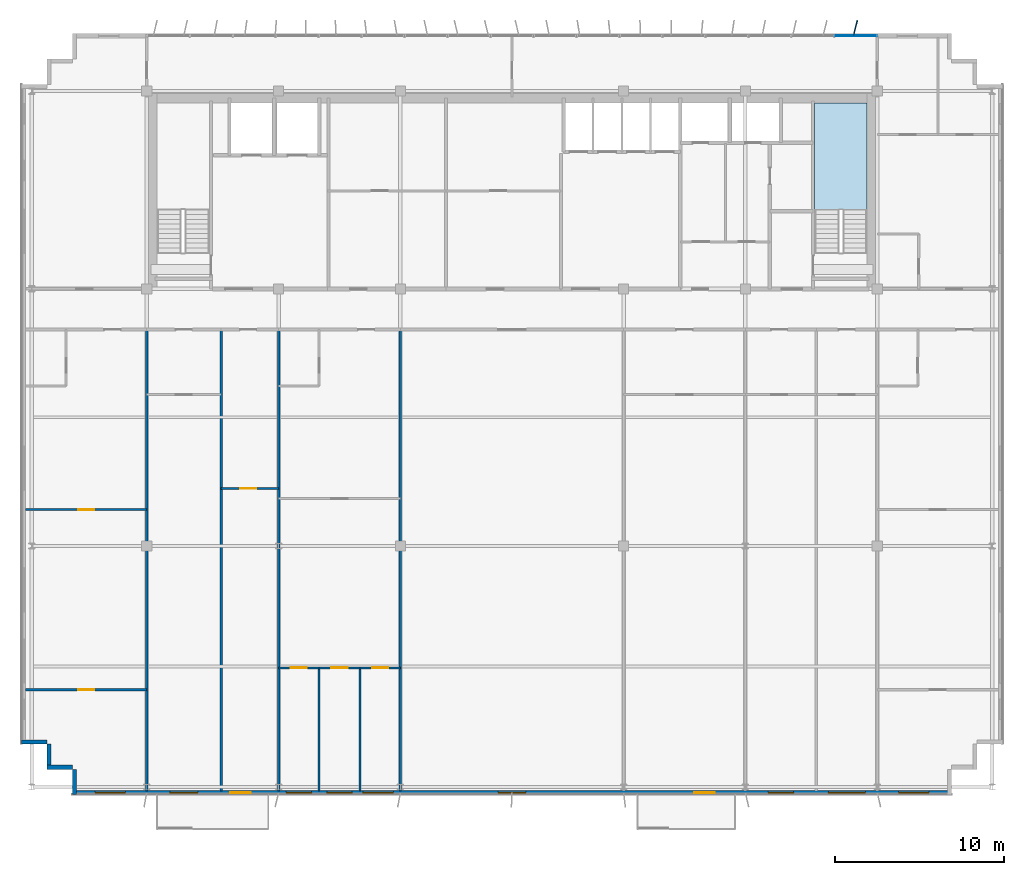
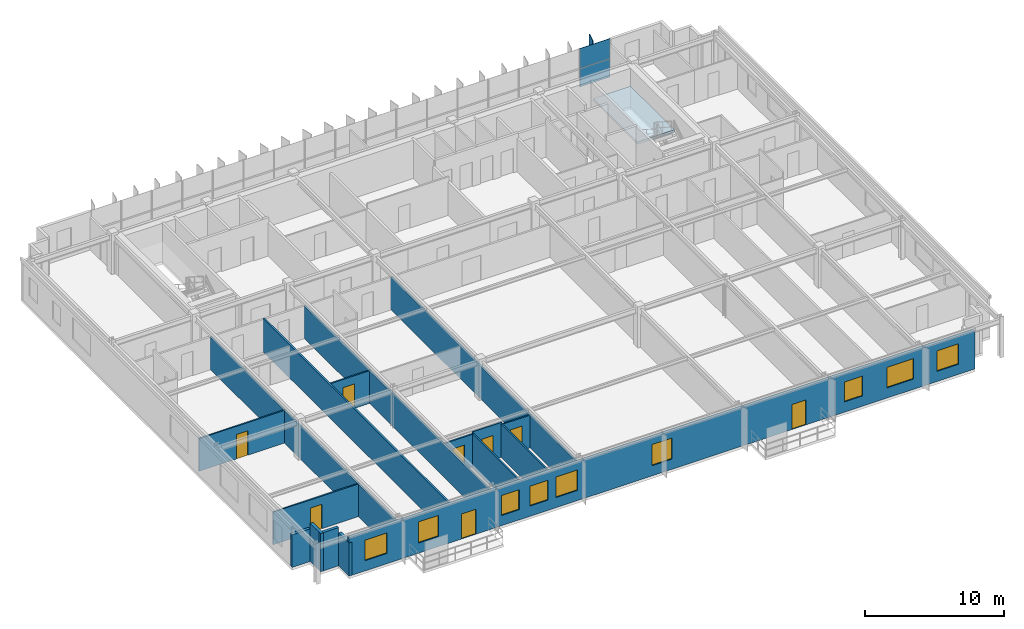
# One storey, part 16 of 22: 17 walls, 9 windows, 8 doors, 3 plates, 1 slab, 17 openings, 2 elements without a shape of their own.
"""IFC4 building model written with IfcOpenShell, lengths in metres."""

from ifc_helpers import new_model, si_unit, direction, frame, frame_2d, origin, origin_2d, place, context, subcontext, project, spatial, polyline, rectangle, outline, extrude, source, transform, mapped, material, layer, layer_set, type_object, element, fill, aggregate, save


model = new_model("IFC4")

# Units and contexts
model_context = context("Model", 3, precision=1e-05, world=origin(), true_north=direction((0.0, 1.0)))
body_context = subcontext(model_context, "Body", "Model", "MODEL_VIEW")
ifc_project = project(units=[si_unit("LENGTHUNIT", "METRE"), si_unit("AREAUNIT", "SQUARE_METRE"), si_unit("VOLUMEUNIT", "CUBIC_METRE"), si_unit("PLANEANGLEUNIT", "RADIAN"), si_unit("MASSUNIT", "GRAM", prefix="KILO")], contexts=[model_context])

# Site, building, storey
site_placement = place(None, origin())
site = spatial("IfcSite", under=ifc_project, at=site_placement, CompositionType="ELEMENT")
building_placement = place(site_placement, origin())
building = spatial("IfcBuilding", under=site, at=building_placement, Name="Trelvane Seafront Commons", CompositionType="ELEMENT")
storey_placement = place(building_placement, frame((0.0, 0.0, 270.300048828125)))
storey = spatial("IfcBuildingStorey", under=building, at=storey_placement, Name="L70", CompositionType="ELEMENT", Elevation=270.300048828125)

# Stair, slab
ifc_material_1 = material(Name="Concrete C40/50", Category="concrete")
stair_type = type_object("IfcStairType", Name="ARCH-STR-ST-2-R20-180", PredefinedType="HALF_TURN_STAIR", material=ifc_material_1)
stair_placement = place(storey_placement, origin())
stair = element("IfcStair", 1, at=stair_placement, inside=storey, type_object=stair_type, Name="L70 East Protected Firefighting Exit Stair ST-2", PredefinedType="HALF_TURN_STAIR")
ifc_layer_1 = layer(ifc_material_1, 0.199951171875, Name="ARCH-LND-200")
ifc_layer_set_1 = layer_set([ifc_layer_1], Name="Concrete C40/50")
slab_type = type_object("IfcSlabType", Name="ARCH-LND-200", PredefinedType="LANDING", material=ifc_layer_set_1)
slab_placement = place(storey_placement, frame((0.0, 0.0, 1.599853515625)))
slab = element("IfcSlab", 2, at=slab_placement, type_object=slab_type, Name="ST-2 landing 1", PredefinedType="LANDING", context=body_context, shape_type="SweptSolid", body=[
    extrude(outline(polyline([(58.199951171875, 38.070068359375), (58.199951171875, 44.39990234375), (55.10009765625, 44.39990234375), (55.10009765625, 38.070068359375), (58.199951171875, 38.070068359375)])), origin(), (0.0, 0.0, 1.0), 0.2001953125),
])
aggregate(stair, [slab])

# Plate
ifc_material_2 = material(Name="Anodised pale-silver aluminium", Category="aluminium")
ifc_layer_2 = layer(ifc_material_2, 0.06005859375, Name="ARCH-PLATE-FIN900")
ifc_layer_set_2 = layer_set([ifc_layer_2], Name="Anodised pale-silver aluminium")
plate_type_1 = type_object("IfcPlateType", Name="ARCH-PLATE-FIN900", PredefinedType="USERDEFINED", material=ifc_layer_set_2)
shared_shape_1 = source(origin(), body_context, "Body", "SweptSolid", [
    extrude(rectangle(XDim=0.89990234375, YDim=0.06005859375, at=origin_2d()), origin(), (0.0, 0.0, 1.0), 3.639892578125),
])
plate_1_placement = place(storey_placement, frame((57.50732421875, 48.8369140625, -0.02001953125), z_axis=(0.0, 0.0, 1.0), x_axis=(0.238769048477, 0.971076382933, 0.0)))
element("IfcPlate", 3, at=plate_1_placement, inside=storey, type_object=plate_type_1, Name="FIN-L70-01965", ObjectType="FIN", PredefinedType="USERDEFINED", context=body_context, shape_type="MappedRepresentation", body=[
    mapped(shared_shape_1, transform((0.0, 0.0, 0.0), x_axis=(1.0, 0.0, 0.0), y_axis=(0.0, 1.0, 0.0), z_axis=(0.0, 0.0, 1.0), scale=1.0)),
])

# Curtain wall, plates
curtain_wall_type = type_object("IfcCurtainWallType", Name="ARCH-CW5-UPTOWER", PredefinedType="NOTDEFINED", material=ifc_material_2)
curtain_wall_placement = place(storey_placement, origin())
curtain_wall = element("IfcCurtainWall", 4, at=curtain_wall_placement, inside=storey, type_object=curtain_wall_type, Name="CW-L70-0114", PredefinedType="NOTDEFINED")
ifc_material_3 = material(Name="Low-E coastal double glazing", Category="glass")
ifc_layer_3 = layer(ifc_material_3, 0.033935546875, Name="ARCH-CW-GLAZ-34")
ifc_layer_set_3 = layer_set([ifc_layer_3], Name="Low-E coastal double glazing")
plate_type_2 = type_object("IfcPlateType", Name="ARCH-CW-GLAZ-34", PredefinedType="CURTAIN_PANEL", material=ifc_layer_set_3)
shared_shape_2 = source(origin(), body_context, "Body", "SweptSolid", [
    extrude(rectangle(XDim=2.51708984375, YDim=0.033935546875, at=origin_2d()), origin(), (0.0, 0.0, 1.0), 1.60009765625),
])
plate_2_placement = place(storey_placement, frame((57.529296875, 48.3701171875, 0.0), z_axis=(0.0, 0.0, 1.0), x_axis=(1.0, 0.0, 0.0)))
plate_2 = element("IfcPlate", 5, at=plate_2_placement, type_object=plate_type_2, Name="CW-L70-0114-P16-1", PredefinedType="CURTAIN_PANEL", context=body_context, shape_type="MappedRepresentation", body=[
    mapped(shared_shape_2, transform((0.0, 0.0, 0.0), x_axis=(1.0, 0.0, 0.0), y_axis=(0.0, 1.0, 0.0), z_axis=(0.0, 0.0, 1.0), scale=1.0)),
])
shared_shape_3 = source(origin(), body_context, "Body", "SweptSolid", [
    extrude(rectangle(XDim=2.51708984375, YDim=0.033935546875, at=origin_2d()), origin(), (0.0, 0.0, 1.0), 1.73388671875),
])
plate_3_placement = place(storey_placement, frame((57.529296875, 48.3701171875, 1.635986328125), z_axis=(0.0, 0.0, 1.0), x_axis=(1.0, 0.0, 0.0)))
plate_3 = element("IfcPlate", 6, at=plate_3_placement, type_object=plate_type_2, Name="CW-L70-0114-P16-2", PredefinedType="CURTAIN_PANEL", context=body_context, shape_type="MappedRepresentation", body=[
    mapped(shared_shape_3, transform((0.0, 0.0, 0.0), x_axis=(1.0, 0.0, 0.0), y_axis=(0.0, 1.0, 0.0), z_axis=(0.0, 0.0, 1.0), scale=1.0)),
])
aggregate(curtain_wall, [plate_2, plate_3])

# Walls
ifc_material_4 = material(Name="Precast concrete C40/50", Category="concrete")
ifc_layer_4 = layer(ifc_material_4, 0.239990234375, Name="ARCH-WALL-EXT240")
ifc_layer_set_4 = layer_set([ifc_layer_4], Name="Precast concrete C40/50")
wall_type_1 = type_object("IfcWallType", Name="ARCH-WALL-EXT240", PredefinedType="SOLIDWALL", material=ifc_layer_set_4)
for number, where, z_axis, x_axis, name in (
    (7, (11.199951171875, 5.1201171875, 0.0), (0.0, 0.0, 1.0), (-1.0, 0.0, 0.0), "EW-L70-01405"),
    (8, (9.820068359375, 5.0, 0.0), (0.0, 0.0, 1.0), (0.0, 1.0, 0.0), "EW-L70-01406"),
):
    element("IfcWall", number, at=place(storey_placement, frame(where, z_axis=z_axis, x_axis=x_axis)), inside=storey, type_object=wall_type_1, Name=name, PredefinedType="SOLIDWALL", context=body_context, shape_type="SweptSolid", body=[
        extrude(rectangle(XDim=1.5, YDim=0.239990234375, at=frame_2d((0.75, 0.0))), origin(), (0.0, 0.0, 1.0), 3.369873046875),
    ])
wall_1_placement = place(storey_placement, frame((9.699951171875, 6.6201171875, 0.0), z_axis=(0.0, 0.0, 1.0), x_axis=(-1.0, 0.0, 0.0)))
element("IfcWall", 9, at=wall_1_placement, inside=storey, type_object=wall_type_1, Name="EW-L70-01407", PredefinedType="SOLIDWALL", context=body_context, shape_type="SweptSolid", body=[
    extrude(rectangle(XDim=1.5, YDim=0.239990234375, at=frame_2d((0.75, 0.0))), origin(), (0.0, 0.0, 1.0), 2.869873046875),
])

# Wall, openings, doors, windows
wall_2_placement = place(storey_placement, frame((63.199951171875, 3.6201171875, 0.0), z_axis=(0.0, 0.0, 1.0), x_axis=(-1.0, 0.0, 0.0)))
wall_2 = element("IfcWall", 10, at=wall_2_placement, inside=storey, type_object=wall_type_1, Name="EW-L70-01422", PredefinedType="SOLIDWALL", context=body_context, shape_type="SweptSolid", body=[
    extrude(rectangle(XDim=52.0, YDim=0.239990234375, at=frame_2d((26.0, 0.0))), origin(), (0.0, 0.0, 1.0), 3.369873046875),
])
opening_1_placement = place(wall_2_placement, frame((1.344970703125, 0.0, 0.89990234375)))
opening_1 = element("IfcOpeningElement", 11, at=opening_1_placement, cuts=wall_2, Name="Opening W01", PredefinedType="OPENING", context=body_context, shape_type="SweptSolid", body=[
    extrude(rectangle(XDim=1.800048828125, YDim=1.800048828125, at=frame_2d((0.89990234375, 0.89990234375))), frame((0.0, 0.1298828125, 0.0), z_axis=(0.0, -1.0, 0.0), x_axis=(1.0, 0.0, 0.0)), (0.0, 0.0, 1.0), 0.260009765625),
])
opening_2_placement = place(wall_2_placement, frame((5.10009765625, 0.0, 0.89990234375)))
opening_2 = element("IfcOpeningElement", 12, at=opening_2_placement, cuts=wall_2, Name="Opening W02", PredefinedType="OPENING", context=body_context, shape_type="SweptSolid", body=[
    extrude(rectangle(XDim=2.199951171875, YDim=1.800048828125, at=frame_2d((1.10009765625, 0.89990234375))), frame((0.0, 0.1298828125, 0.0), z_axis=(0.0, -1.0, 0.0), x_axis=(1.0, 0.0, 0.0)), (0.0, 0.0, 1.0), 0.260009765625),
])
opening_3_placement = place(wall_2_placement, frame((9.35009765625, 0.0, 0.89990234375)))
opening_3 = element("IfcOpeningElement", 13, at=opening_3_placement, cuts=wall_2, Name="Opening W03", PredefinedType="OPENING", context=body_context, shape_type="SweptSolid", body=[
    extrude(rectangle(XDim=1.5, YDim=1.75, at=frame_2d((0.75, 0.875))), frame((0.0, 0.1298828125, 0.0), z_axis=(0.0, -1.0, 0.0), x_axis=(1.0, 0.0, 0.0)), (0.0, 0.0, 1.0), 0.260009765625),
])
opening_4_placement = place(wall_2_placement, frame((14.01708984375, 0.0, 0.0)))
opening_4 = element("IfcOpeningElement", 14, at=opening_4_placement, cuts=wall_2, Name="Opening BD-L70-142", PredefinedType="OPENING", context=body_context, shape_type="SweptSolid", body=[
    extrude(rectangle(XDim=1.199951171875, YDim=2.199951171875, at=frame_2d((0.60009765625, 1.10009765625))), frame((0.0, 0.1298828125, 0.0), z_axis=(0.0, -1.0, 0.0), x_axis=(1.0, 0.0, 0.0)), (0.0, 0.0, 1.0), 0.260009765625),
])
opening_5_placement = place(wall_2_placement, frame((25.175048828125, 0.0, 0.89990234375)))
opening_5 = element("IfcOpeningElement", 15, at=opening_5_placement, cuts=wall_2, Name="Opening W07", PredefinedType="OPENING", context=body_context, shape_type="SweptSolid", body=[
    extrude(rectangle(XDim=1.64990234375, YDim=1.85009765625, at=frame_2d((0.824951171875, 0.925048828125))), frame((0.0, 0.1298828125, 0.0), z_axis=(0.0, -1.0, 0.0), x_axis=(1.0, 0.0, 0.0)), (0.0, 0.0, 1.0), 0.260009765625),
])
opening_6_placement = place(wall_2_placement, frame((33.010009765625, 0.0, 0.89990234375)))
opening_6 = element("IfcOpeningElement", 16, at=opening_6_placement, cuts=wall_2, Name="Opening W01", PredefinedType="OPENING", context=body_context, shape_type="SweptSolid", body=[
    extrude(rectangle(XDim=1.800048828125, YDim=1.800048828125, at=frame_2d((0.89990234375, 0.89990234375))), frame((0.0, 0.1298828125, 0.0), z_axis=(0.0, -1.0, 0.0), x_axis=(1.0, 0.0, 0.0)), (0.0, 0.0, 1.0), 0.260009765625),
])
opening_7_placement = place(wall_2_placement, frame((35.449951171875, 0.0, 0.89990234375)))
opening_7 = element("IfcOpeningElement", 17, at=opening_7_placement, cuts=wall_2, Name="Opening W03", PredefinedType="OPENING", context=body_context, shape_type="SweptSolid", body=[
    extrude(rectangle(XDim=1.5, YDim=1.75, at=frame_2d((0.75, 0.875))), frame((0.0, 0.1298828125, 0.0), z_axis=(0.0, -1.0, 0.0), x_axis=(1.0, 0.0, 0.0)), (0.0, 0.0, 1.0), 0.260009765625),
])
opening_8_placement = place(wall_2_placement, frame((37.85009765625, 0.0, 0.89990234375)))
opening_8 = element("IfcOpeningElement", 18, at=opening_8_placement, cuts=wall_2, Name="Opening W03", PredefinedType="OPENING", context=body_context, shape_type="SweptSolid", body=[
    extrude(rectangle(XDim=1.5, YDim=1.75, at=frame_2d((0.75, 0.875))), frame((0.0, 0.1298828125, 0.0), z_axis=(0.0, -1.0, 0.0), x_axis=(1.0, 0.0, 0.0)), (0.0, 0.0, 1.0), 0.260009765625),
])
opening_9_placement = place(wall_2_placement, frame((41.451904296875, 0.0, 0.0)))
opening_9 = element("IfcOpeningElement", 19, at=opening_9_placement, cuts=wall_2, Name="Opening BD-L70-143", PredefinedType="OPENING", context=body_context, shape_type="SweptSolid", body=[
    extrude(rectangle(XDim=1.199951171875, YDim=2.199951171875, at=frame_2d((0.60009765625, 1.10009765625))), frame((0.0, 0.1298828125, 0.0), z_axis=(0.0, -1.0, 0.0), x_axis=(1.0, 0.0, 0.0)), (0.0, 0.0, 1.0), 0.260009765625),
])
opening_10_placement = place(wall_2_placement, frame((44.574951171875, 0.0, 0.89990234375)))
opening_10 = element("IfcOpeningElement", 20, at=opening_10_placement, cuts=wall_2, Name="Opening W07", PredefinedType="OPENING", context=body_context, shape_type="SweptSolid", body=[
    extrude(rectangle(XDim=1.64990234375, YDim=1.85009765625, at=frame_2d((0.824951171875, 0.925048828125))), frame((0.0, 0.1298828125, 0.0), z_axis=(0.0, -1.0, 0.0), x_axis=(1.0, 0.0, 0.0)), (0.0, 0.0, 1.0), 0.260009765625),
])
opening_11_placement = place(wall_2_placement, frame((48.85498046875, 0.0, 0.89990234375)))
opening_11 = element("IfcOpeningElement", 21, at=opening_11_placement, cuts=wall_2, Name="Opening W01", PredefinedType="OPENING", context=body_context, shape_type="SweptSolid", body=[
    extrude(rectangle(XDim=1.800048828125, YDim=1.800048828125, at=frame_2d((0.89990234375, 0.89990234375))), frame((0.0, 0.1298828125, 0.0), z_axis=(0.0, -1.0, 0.0), x_axis=(1.0, 0.0, 0.0)), (0.0, 0.0, 1.0), 0.260009765625),
])
ifc_material_5 = material(Name="Powder-coated aluminium frame", Category="aluminium")
door_type_1 = type_object("IfcDoorType", Name="ARCH-DR-BAL1200", OperationType="NOTDEFINED", PredefinedType="DOOR", material=ifc_material_5)
shared_shape_4 = source(origin(), body_context, "Body", "SweptSolid", [
    extrude(rectangle(XDim=1.199951171875, YDim=2.199951171875, at=frame_2d((0.60009765625, 1.10009765625))), frame((0.0, 0.02490234375, 0.0), z_axis=(0.0, -1.0, 0.0), x_axis=(1.0, 0.0, 0.0)), (0.0, 0.0, 1.0), 0.050048828125),
])
door_1_placement = place(opening_4_placement, origin())
door_1 = element("IfcDoor", 22, at=door_1_placement, inside=storey, type_object=door_type_1, Name="L70 Balcony Terrace Access Door", OperationType="SINGLE_SWING_LEFT", OverallHeight=2.199951171875, OverallWidth=1.199951171875, PredefinedType="DOOR", context=body_context, shape_type="MappedRepresentation", body=[
    mapped(shared_shape_4, transform((0.0, 0.0, 0.0), x_axis=(1.0, 0.0, 0.0), y_axis=(0.0, 1.0, 0.0), z_axis=(0.0, 0.0, 1.0), scale=1.0)),
])
fill(opening_4, door_1)
door_2_placement = place(opening_9_placement, origin())
door_2 = element("IfcDoor", 23, at=door_2_placement, inside=storey, type_object=door_type_1, Name="L70 Balcony Terrace Access Door", OperationType="SINGLE_SWING_LEFT", OverallHeight=2.199951171875, OverallWidth=1.199951171875, PredefinedType="DOOR", context=body_context, shape_type="MappedRepresentation", body=[
    mapped(shared_shape_4, transform((0.0, 0.0, 0.0), x_axis=(1.0, 0.0, 0.0), y_axis=(0.0, 1.0, 0.0), z_axis=(0.0, 0.0, 1.0), scale=1.0)),
])
fill(opening_9, door_2)
window_type_1 = type_object("IfcWindowType", Name="ARCH-WIN-W02", PartitioningType="SINGLE_PANEL", PredefinedType="WINDOW", material=ifc_material_3)
shared_shape_5 = source(origin(), body_context, "Body", "SweptSolid", [
    extrude(rectangle(XDim=2.199951171875, YDim=1.800048828125, at=frame_2d((1.10009765625, 0.89990234375))), frame((0.0, 0.030029296875, 0.0), z_axis=(0.0, -1.0, 0.0), x_axis=(1.0, 0.0, 0.0)), (0.0, 0.0, 1.0), 0.06005859375),
])
window_1_placement = place(opening_2_placement, origin())
window_1 = element("IfcWindow", 24, at=window_1_placement, inside=storey, type_object=window_type_1, Name="WIN-L70-01689", OverallHeight=1.800048828125, OverallWidth=2.199951171875, PartitioningType="SINGLE_PANEL", PredefinedType="WINDOW", context=body_context, shape_type="MappedRepresentation", body=[
    mapped(shared_shape_5, transform((0.0, 0.0, 0.0), x_axis=(1.0, 0.0, 0.0), y_axis=(0.0, 1.0, 0.0), z_axis=(0.0, 0.0, 1.0), scale=1.0)),
])
fill(opening_2, window_1)
window_type_2 = type_object("IfcWindowType", Name="ARCH-WIN-W03", PartitioningType="SINGLE_PANEL", PredefinedType="WINDOW", material=ifc_material_3)
shared_shape_6 = source(origin(), body_context, "Body", "SweptSolid", [
    extrude(rectangle(XDim=1.5, YDim=1.75, at=frame_2d((0.75, 0.875))), frame((0.0, 0.030029296875, 0.0), z_axis=(0.0, -1.0, 0.0), x_axis=(1.0, 0.0, 0.0)), (0.0, 0.0, 1.0), 0.06005859375),
])
window_2_placement = place(opening_3_placement, origin())
window_2 = element("IfcWindow", 25, at=window_2_placement, inside=storey, type_object=window_type_2, Name="WIN-L70-01690", OverallHeight=1.75, OverallWidth=1.5, PartitioningType="SINGLE_PANEL", PredefinedType="WINDOW", context=body_context, shape_type="MappedRepresentation", body=[
    mapped(shared_shape_6, transform((0.0, 0.0, 0.0), x_axis=(1.0, 0.0, 0.0), y_axis=(0.0, 1.0, 0.0), z_axis=(0.0, 0.0, 1.0), scale=1.0)),
])
fill(opening_3, window_2)
window_3_placement = place(opening_7_placement, origin())
window_3 = element("IfcWindow", 26, at=window_3_placement, inside=storey, type_object=window_type_2, Name="WIN-L70-01693", OverallHeight=1.75, OverallWidth=1.5, PartitioningType="SINGLE_PANEL", PredefinedType="WINDOW", context=body_context, shape_type="MappedRepresentation", body=[
    mapped(shared_shape_6, transform((0.0, 0.0, 0.0), x_axis=(1.0, 0.0, 0.0), y_axis=(0.0, 1.0, 0.0), z_axis=(0.0, 0.0, 1.0), scale=1.0)),
])
fill(opening_7, window_3)
window_4_placement = place(opening_8_placement, origin())
window_4 = element("IfcWindow", 27, at=window_4_placement, inside=storey, type_object=window_type_2, Name="WIN-L70-01694", OverallHeight=1.75, OverallWidth=1.5, PartitioningType="SINGLE_PANEL", PredefinedType="WINDOW", context=body_context, shape_type="MappedRepresentation", body=[
    mapped(shared_shape_6, transform((0.0, 0.0, 0.0), x_axis=(1.0, 0.0, 0.0), y_axis=(0.0, 1.0, 0.0), z_axis=(0.0, 0.0, 1.0), scale=1.0)),
])
fill(opening_8, window_4)
window_type_3 = type_object("IfcWindowType", Name="ARCH-WIN-W01", PartitioningType="SINGLE_PANEL", PredefinedType="WINDOW", material=ifc_material_3)
shared_shape_7 = source(origin(), body_context, "Body", "SweptSolid", [
    extrude(rectangle(XDim=1.800048828125, YDim=1.800048828125, at=frame_2d((0.89990234375, 0.89990234375))), frame((0.0, 0.030029296875, 0.0), z_axis=(0.0, -1.0, 0.0), x_axis=(1.0, 0.0, 0.0)), (0.0, 0.0, 1.0), 0.06005859375),
])
window_5_placement = place(opening_1_placement, origin())
window_5 = element("IfcWindow", 28, at=window_5_placement, inside=storey, type_object=window_type_3, Name="WIN-L70-01688", OverallHeight=1.800048828125, OverallWidth=1.800048828125, PartitioningType="SINGLE_PANEL", PredefinedType="WINDOW", context=body_context, shape_type="MappedRepresentation", body=[
    mapped(shared_shape_7, transform((0.0, 0.0, 0.0), x_axis=(1.0, 0.0, 0.0), y_axis=(0.0, 1.0, 0.0), z_axis=(0.0, 0.0, 1.0), scale=1.0)),
])
fill(opening_1, window_5)
window_6_placement = place(opening_6_placement, origin())
window_6 = element("IfcWindow", 29, at=window_6_placement, inside=storey, type_object=window_type_3, Name="WIN-L70-01692", OverallHeight=1.800048828125, OverallWidth=1.800048828125, PartitioningType="SINGLE_PANEL", PredefinedType="WINDOW", context=body_context, shape_type="MappedRepresentation", body=[
    mapped(shared_shape_7, transform((0.0, 0.0, 0.0), x_axis=(1.0, 0.0, 0.0), y_axis=(0.0, 1.0, 0.0), z_axis=(0.0, 0.0, 1.0), scale=1.0)),
])
fill(opening_6, window_6)
window_7_placement = place(opening_11_placement, origin())
window_7 = element("IfcWindow", 30, at=window_7_placement, inside=storey, type_object=window_type_3, Name="WIN-L70-01696", OverallHeight=1.800048828125, OverallWidth=1.800048828125, PartitioningType="SINGLE_PANEL", PredefinedType="WINDOW", context=body_context, shape_type="MappedRepresentation", body=[
    mapped(shared_shape_7, transform((0.0, 0.0, 0.0), x_axis=(1.0, 0.0, 0.0), y_axis=(0.0, 1.0, 0.0), z_axis=(0.0, 0.0, 1.0), scale=1.0)),
])
fill(opening_11, window_7)
window_type_4 = type_object("IfcWindowType", Name="ARCH-WIN-W07", PartitioningType="SINGLE_PANEL", PredefinedType="WINDOW", material=ifc_material_3)
shared_shape_8 = source(origin(), body_context, "Body", "SweptSolid", [
    extrude(rectangle(XDim=1.64990234375, YDim=1.85009765625, at=frame_2d((0.824951171875, 0.925048828125))), frame((0.0, 0.030029296875, 0.0), z_axis=(0.0, -1.0, 0.0), x_axis=(1.0, 0.0, 0.0)), (0.0, 0.0, 1.0), 0.06005859375),
])
window_8_placement = place(opening_5_placement, origin())
window_8 = element("IfcWindow", 31, at=window_8_placement, inside=storey, type_object=window_type_4, Name="WIN-L70-01691", OverallHeight=1.85009765625, OverallWidth=1.64990234375, PartitioningType="SINGLE_PANEL", PredefinedType="WINDOW", context=body_context, shape_type="MappedRepresentation", body=[
    mapped(shared_shape_8, transform((0.0, 0.0, 0.0), x_axis=(1.0, 0.0, 0.0), y_axis=(0.0, 1.0, 0.0), z_axis=(0.0, 0.0, 1.0), scale=1.0)),
])
fill(opening_5, window_8)
window_9_placement = place(opening_10_placement, origin())
window_9 = element("IfcWindow", 32, at=window_9_placement, inside=storey, type_object=window_type_4, Name="WIN-L70-01695", OverallHeight=1.85009765625, OverallWidth=1.64990234375, PartitioningType="SINGLE_PANEL", PredefinedType="WINDOW", context=body_context, shape_type="MappedRepresentation", body=[
    mapped(shared_shape_8, transform((0.0, 0.0, 0.0), x_axis=(1.0, 0.0, 0.0), y_axis=(0.0, 1.0, 0.0), z_axis=(0.0, 0.0, 1.0), scale=1.0)),
])
fill(opening_10, window_9)

# Wall
wall_3_placement = place(storey_placement, frame((11.320068359375, 3.5, 0.0), z_axis=(0.0, 0.0, 1.0), x_axis=(0.0, 1.0, 0.0)))
element("IfcWall", 33, at=wall_3_placement, inside=storey, type_object=wall_type_1, Name="EW-L70-01423", PredefinedType="SOLIDWALL", context=body_context, shape_type="SweptSolid", body=[
    extrude(rectangle(XDim=1.5, YDim=0.239990234375, at=frame_2d((0.75, 0.0))), origin(), (0.0, 0.0, 1.0), 2.919921875),
])

# Wall, opening, door
ifc_material_6 = material(Name="Gypsum Drywall Acoustic Partition")
ifc_layer_5 = layer(ifc_material_6, 0.1201171875, Name="ARCH-WALL-PART120")
ifc_layer_set_5 = layer_set([ifc_layer_5], Name="Gypsum Drywall Acoustic Partition")
wall_type_2 = type_object("IfcWallType", Name="ARCH-WALL-PART120", PredefinedType="PARTITIONING", material=ifc_layer_set_5)
wall_4_placement = place(storey_placement, frame((8.43994140625, 20.35009765625, 0.0), z_axis=(0.0, 0.0, 1.0), x_axis=(1.0, 0.0, 0.0)))
wall_4 = element("IfcWall", 34, at=wall_4_placement, inside=storey, type_object=wall_type_2, Name="W-L70-U1-KL-053", PredefinedType="PARTITIONING", context=body_context, shape_type="SweptSolid", body=[
    extrude(rectangle(XDim=7.16015625, YDim=0.1201171875, at=frame_2d((3.580078125, 0.0))), origin(), (0.0, 0.0, 1.0), 2.869873046875),
])
opening_12_placement = place(wall_4_placement, frame((3.10498046875, 0.0, 0.0)))
opening_12 = element("IfcOpeningElement", 35, at=opening_12_placement, cuts=wall_4, Name="Opening D-L70-30", PredefinedType="OPENING", context=body_context, shape_type="SweptSolid", body=[
    extrude(rectangle(XDim=0.949951171875, YDim=2.14990234375, at=frame_2d((0.47509765625, 1.074951171875))), frame((0.0, 0.070068359375, 0.0), z_axis=(0.0, -1.0, 0.0), x_axis=(1.0, 0.0, 0.0)), (0.0, 0.0, 1.0), 0.14013671875),
])
ifc_material_7 = material(Name="Acoustic timber door leaf", Category="wood")
door_type_2 = type_object("IfcDoorType", Name="ARCH-DR-INT950", OperationType="NOTDEFINED", PredefinedType="DOOR", material=ifc_material_7)
shared_shape_9 = source(origin(), body_context, "Body", "SweptSolid", [
    extrude(rectangle(XDim=0.949951171875, YDim=2.14990234375, at=frame_2d((0.47509765625, 1.074951171875))), frame((0.0, 0.02490234375, 0.0), z_axis=(0.0, -1.0, 0.0), x_axis=(1.0, 0.0, 0.0)), (0.0, 0.0, 1.0), 0.050048828125),
])
door_3_placement = place(opening_12_placement, origin())
door_3 = element("IfcDoor", 36, at=door_3_placement, inside=storey, type_object=door_type_2, Name="L70 Door 30", OperationType="SINGLE_SWING_RIGHT", OverallHeight=2.14990234375, OverallWidth=0.949951171875, PredefinedType="DOOR", context=body_context, shape_type="MappedRepresentation", body=[
    mapped(shared_shape_9, transform((0.0, 0.0, 0.0), x_axis=(1.0, 0.0, 0.0), y_axis=(0.0, 1.0, 0.0), z_axis=(0.0, 0.0, 1.0), scale=1.0)),
])
fill(opening_12, door_3)

wall_5_placement = place(storey_placement, frame((8.43994140625, 9.699951171875, 0.0), z_axis=(0.0, 0.0, 1.0), x_axis=(1.0, 0.0, 0.0)))
wall_5 = element("IfcWall", 37, at=wall_5_placement, inside=storey, type_object=wall_type_2, Name="W-L70-U1-YM-1-057", PredefinedType="PARTITIONING", context=body_context, shape_type="SweptSolid", body=[
    extrude(rectangle(XDim=7.16015625, YDim=0.1201171875, at=frame_2d((3.580078125, 0.0))), origin(), (0.0, 0.0, 1.0), 2.869873046875),
])
opening_13_placement = place(wall_5_placement, frame((3.10498046875, 0.0, 0.0)))
opening_13 = element("IfcOpeningElement", 38, at=opening_13_placement, cuts=wall_5, Name="Opening D-L70-33", PredefinedType="OPENING", context=body_context, shape_type="SweptSolid", body=[
    extrude(rectangle(XDim=0.949951171875, YDim=2.14990234375, at=frame_2d((0.47509765625, 1.074951171875))), frame((0.0, 0.070068359375, 0.0), z_axis=(0.0, -1.0, 0.0), x_axis=(1.0, 0.0, 0.0)), (0.0, 0.0, 1.0), 0.14013671875),
])
door_4_placement = place(opening_13_placement, origin())
door_4 = element("IfcDoor", 39, at=door_4_placement, inside=storey, type_object=door_type_2, Name="L70 Door 33", OperationType="SINGLE_SWING_LEFT", OverallHeight=2.14990234375, OverallWidth=0.949951171875, PredefinedType="DOOR", context=body_context, shape_type="MappedRepresentation", body=[
    mapped(shared_shape_9, transform((0.0, 0.0, 0.0), x_axis=(1.0, 0.0, 0.0), y_axis=(0.0, 1.0, 0.0), z_axis=(0.0, 0.0, 1.0), scale=1.0)),
])
fill(opening_13, door_4)

wall_6_placement = place(storey_placement, frame((20.0, 21.60009765625, 0.0), z_axis=(0.0, 0.0, 1.0), x_axis=(1.0, 0.0, 0.0)))
wall_6 = element("IfcWall", 40, at=wall_6_placement, inside=storey, type_object=wall_type_2, Name="W-L70-U3-DIV-061", PredefinedType="PARTITIONING", context=body_context, shape_type="SweptSolid", body=[
    extrude(rectangle(XDim=3.39990234375, YDim=0.1201171875, at=frame_2d((1.699951171875, 0.0))), origin(), (0.0, 0.0, 1.0), 2.869873046875),
])
opening_14_placement = place(wall_6_placement, frame((1.131103515625, 0.0, 0.0)))
opening_14 = element("IfcOpeningElement", 41, at=opening_14_placement, cuts=wall_6, Name="Opening D-L70-37", PredefinedType="OPENING", context=body_context, shape_type="SweptSolid", body=[
    extrude(rectangle(XDim=0.949951171875, YDim=2.14990234375, at=frame_2d((0.47509765625, 1.074951171875))), frame((0.0, 0.070068359375, 0.0), z_axis=(0.0, -1.0, 0.0), x_axis=(1.0, 0.0, 0.0)), (0.0, 0.0, 1.0), 0.14013671875),
])
door_5_placement = place(opening_14_placement, origin())
door_5 = element("IfcDoor", 42, at=door_5_placement, inside=storey, type_object=door_type_2, Name="L70 Door 37", OperationType="SINGLE_SWING_LEFT", OverallHeight=2.14990234375, OverallWidth=0.949951171875, PredefinedType="DOOR", context=body_context, shape_type="MappedRepresentation", body=[
    mapped(shared_shape_9, transform((0.0, 0.0, 0.0), x_axis=(1.0, 0.0, 0.0), y_axis=(0.0, 1.0, 0.0), z_axis=(0.0, 0.0, 1.0), scale=1.0)),
])
fill(opening_14, door_5)

wall_7_placement = place(storey_placement, frame((23.39990234375, 11.0, 0.0), z_axis=(0.0, 0.0, 1.0), x_axis=(1.0, 0.0, 0.0)))
wall_7 = element("IfcWall", 43, at=wall_7_placement, inside=storey, type_object=wall_type_2, Name="W-L70-U4-YM-1-066", PredefinedType="PARTITIONING", context=body_context, shape_type="SweptSolid", body=[
    extrude(rectangle(XDim=2.400146484375, YDim=0.1201171875, at=frame_2d((1.2001953125, 0.0))), origin(), (0.0, 0.0, 1.0), 2.869873046875),
])
opening_15_placement = place(wall_7_placement, frame((0.72509765625, 0.0, 0.0)))
opening_15 = element("IfcOpeningElement", 44, at=opening_15_placement, cuts=wall_7, Name="Opening D-L70-41", PredefinedType="OPENING", context=body_context, shape_type="SweptSolid", body=[
    extrude(rectangle(XDim=0.949951171875, YDim=2.14990234375, at=frame_2d((0.47509765625, 1.074951171875))), frame((0.0, 0.070068359375, 0.0), z_axis=(0.0, -1.0, 0.0), x_axis=(1.0, 0.0, 0.0)), (0.0, 0.0, 1.0), 0.14013671875),
])
door_6_placement = place(opening_15_placement, origin())
door_6 = element("IfcDoor", 45, at=door_6_placement, inside=storey, type_object=door_type_2, Name="L70 Door 41", OperationType="SINGLE_SWING_LEFT", OverallHeight=2.14990234375, OverallWidth=0.949951171875, PredefinedType="DOOR", context=body_context, shape_type="MappedRepresentation", body=[
    mapped(shared_shape_9, transform((0.0, 0.0, 0.0), x_axis=(1.0, 0.0, 0.0), y_axis=(0.0, 1.0, 0.0), z_axis=(0.0, 0.0, 1.0), scale=1.0)),
])
fill(opening_15, door_6)

wall_8_placement = place(storey_placement, frame((25.800048828125, 11.0, 0.0), z_axis=(0.0, 0.0, 1.0), x_axis=(1.0, 0.0, 0.0)))
wall_8 = element("IfcWall", 46, at=wall_8_placement, inside=storey, type_object=wall_type_2, Name="W-L70-U4-YM-2-067", PredefinedType="PARTITIONING", context=body_context, shape_type="SweptSolid", body=[
    extrude(rectangle(XDim=2.39990234375, YDim=0.1201171875, at=frame_2d((1.199951171875, 0.0))), origin(), (0.0, 0.0, 1.0), 3.070068359375),
])
opening_16_placement = place(wall_8_placement, frame((0.72509765625, 0.0, 0.0)))
opening_16 = element("IfcOpeningElement", 47, at=opening_16_placement, cuts=wall_8, Name="Opening D-L70-42", PredefinedType="OPENING", context=body_context, shape_type="SweptSolid", body=[
    extrude(rectangle(XDim=0.949951171875, YDim=2.14990234375, at=frame_2d((0.47509765625, 1.074951171875))), frame((0.0, 0.070068359375, 0.0), z_axis=(0.0, -1.0, 0.0), x_axis=(1.0, 0.0, 0.0)), (0.0, 0.0, 1.0), 0.14013671875),
])
door_7_placement = place(opening_16_placement, origin())
door_7 = element("IfcDoor", 48, at=door_7_placement, inside=storey, type_object=door_type_2, Name="L70 Door 42", OperationType="SINGLE_SWING_RIGHT", OverallHeight=2.14990234375, OverallWidth=0.949951171875, PredefinedType="DOOR", context=body_context, shape_type="MappedRepresentation", body=[
    mapped(shared_shape_9, transform((0.0, 0.0, 0.0), x_axis=(1.0, 0.0, 0.0), y_axis=(0.0, 1.0, 0.0), z_axis=(0.0, 0.0, 1.0), scale=1.0)),
])
fill(opening_16, door_7)

# Wall
wall_9_placement = place(storey_placement, frame((25.800048828125, 3.72509765625, 0.0), z_axis=(0.0, 0.0, 1.0), x_axis=(0.0, 1.0, 0.0)))
element("IfcWall", 49, at=wall_9_placement, inside=storey, type_object=wall_type_2, Name="W-L70-U4-BDV-1-068", PredefinedType="PARTITIONING", context=body_context, shape_type="SweptSolid", body=[
    extrude(rectangle(XDim=7.27490234375, YDim=0.1201171875, at=frame_2d((3.637451171875, 0.0))), origin(), (0.0, 0.0, 1.0), 2.919921875),
])

# Wall, opening, door
wall_10_placement = place(storey_placement, frame((28.199951171875, 11.0, 0.0), z_axis=(0.0, 0.0, 1.0), x_axis=(1.0, 0.0, 0.0)))
wall_10 = element("IfcWall", 50, at=wall_10_placement, inside=storey, type_object=wall_type_2, Name="W-L70-U4-YM-3-069", PredefinedType="PARTITIONING", context=body_context, shape_type="SweptSolid", body=[
    extrude(rectangle(XDim=2.400146484375, YDim=0.1201171875, at=frame_2d((1.2001953125, 0.0))), origin(), (0.0, 0.0, 1.0), 2.869873046875),
])
opening_17_placement = place(wall_10_placement, frame((0.72509765625, 0.0, 0.0)))
opening_17 = element("IfcOpeningElement", 51, at=opening_17_placement, cuts=wall_10, Name="Opening D-L70-43", PredefinedType="OPENING", context=body_context, shape_type="SweptSolid", body=[
    extrude(rectangle(XDim=0.949951171875, YDim=2.14990234375, at=frame_2d((0.47509765625, 1.074951171875))), frame((0.0, 0.070068359375, 0.0), z_axis=(0.0, -1.0, 0.0), x_axis=(1.0, 0.0, 0.0)), (0.0, 0.0, 1.0), 0.14013671875),
])
door_8_placement = place(opening_17_placement, origin())
door_8 = element("IfcDoor", 52, at=door_8_placement, inside=storey, type_object=door_type_2, Name="L70 Door 43", OperationType="SINGLE_SWING_LEFT", OverallHeight=2.14990234375, OverallWidth=0.949951171875, PredefinedType="DOOR", context=body_context, shape_type="MappedRepresentation", body=[
    mapped(shared_shape_9, transform((0.0, 0.0, 0.0), x_axis=(1.0, 0.0, 0.0), y_axis=(0.0, 1.0, 0.0), z_axis=(0.0, 0.0, 1.0), scale=1.0)),
])
fill(opening_17, door_8)

# Walls
wall_11_placement = place(storey_placement, frame((28.199951171875, 3.72509765625, 0.0), z_axis=(0.0, 0.0, 1.0), x_axis=(0.0, 1.0, 0.0)))
element("IfcWall", 53, at=wall_11_placement, inside=storey, type_object=wall_type_2, Name="W-L70-U4-BDV-2-070", PredefinedType="PARTITIONING", context=body_context, shape_type="SweptSolid", body=[
    extrude(rectangle(XDim=7.27490234375, YDim=0.1201171875, at=frame_2d((3.637451171875, 0.0))), origin(), (0.0, 0.0, 1.0), 2.919921875),
])
ifc_layer_6 = layer(ifc_material_6, 0.14990234375, Name="ARCH-WALL-PART150")
ifc_layer_set_6 = layer_set([ifc_layer_6], Name="Gypsum Drywall Acoustic Partition")
wall_type_3 = type_object("IfcWallType", Name="ARCH-WALL-PART150", PredefinedType="PARTITIONING", material=ifc_layer_set_6)
wall_12_placement = place(storey_placement, frame((15.60009765625, 3.72509765625, 0.0), z_axis=(0.0, 0.0, 1.0), x_axis=(0.0, 1.0, 0.0)))
element("IfcWall", 54, at=wall_12_placement, inside=storey, type_object=wall_type_3, Name="W-L70-PW-1-045", PredefinedType="PARTITIONING", context=body_context, shape_type="SweptSolid", body=[
    extrude(rectangle(XDim=27.27490234375, YDim=0.14990234375, at=frame_2d((13.637451171875, 0.0))), origin(), (0.0, 0.0, 1.0), 2.869873046875),
])
wall_13_placement = place(storey_placement, frame((20.0, 3.72509765625, 0.0), z_axis=(0.0, 0.0, 1.0), x_axis=(0.0, 1.0, 0.0)))
element("IfcWall", 55, at=wall_13_placement, inside=storey, type_object=wall_type_3, Name="W-L70-PW-2-046", PredefinedType="PARTITIONING", context=body_context, shape_type="SweptSolid", body=[
    extrude(rectangle(XDim=27.27490234375, YDim=0.14990234375, at=frame_2d((13.637451171875, 0.0))), origin(), (0.0, 0.0, 1.0), 2.919921875),
])
for number, where, z_axis, x_axis, name in (
    (56, (23.39990234375, 3.72509765625, 0.0), (0.0, 0.0, 1.0), (0.0, 1.0, 0.0), "W-L70-PW-3-047"),
    (57, (30.60009765625, 3.72509765625, 0.0), (0.0, 0.0, 1.0), (0.0, 1.0, 0.0), "W-L70-PW-4-048"),
):
    element("IfcWall", number, at=place(storey_placement, frame(where, z_axis=z_axis, x_axis=x_axis)), inside=storey, type_object=wall_type_3, Name=name, PredefinedType="PARTITIONING", context=body_context, shape_type="SweptSolid", body=[
        extrude(rectangle(XDim=27.27490234375, YDim=0.14990234375, at=frame_2d((13.637451171875, 0.0))), origin(), (0.0, 0.0, 1.0), 2.869873046875),
    ])

save(model, "model.ifc")
